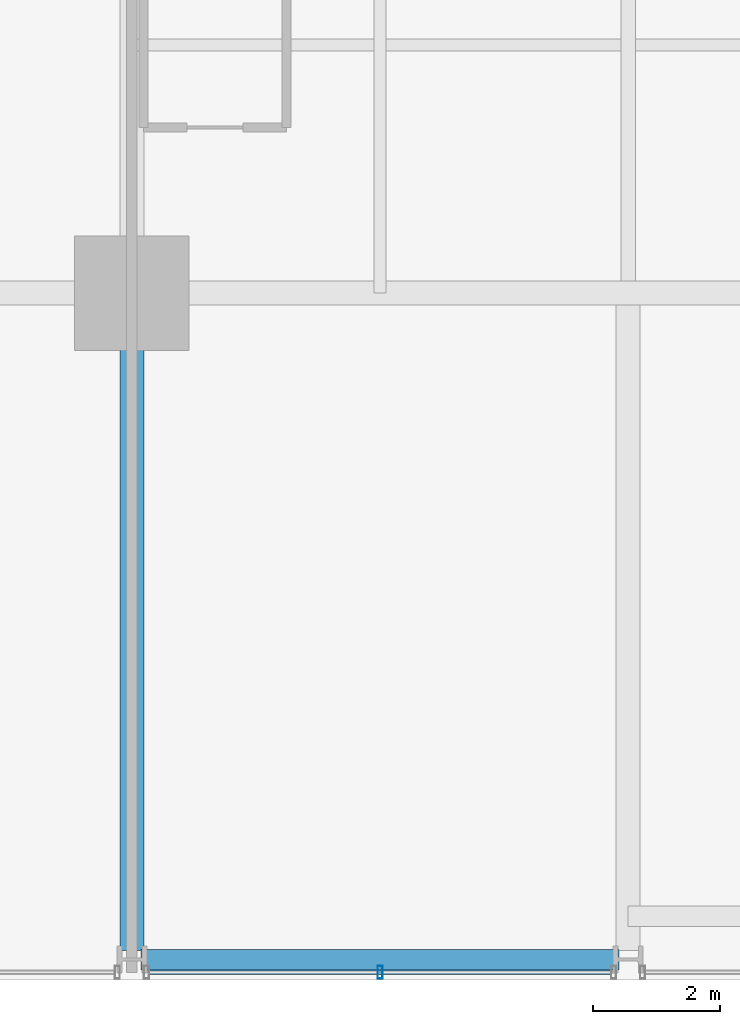
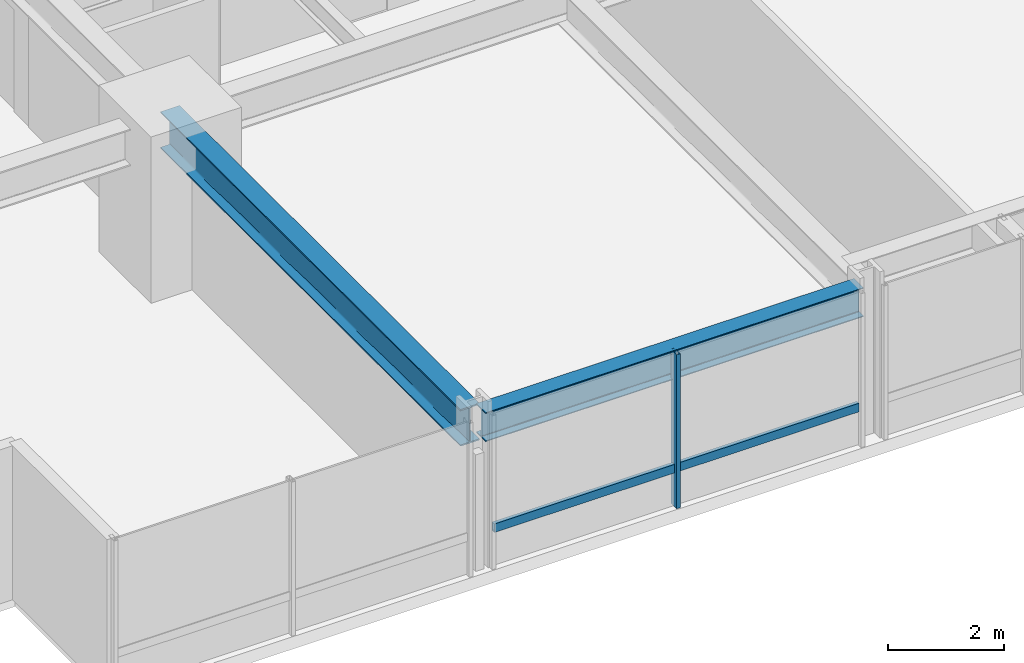
# One storey, part 3 of 38: 2 beams, 2 members, 1 element without a shape of its own.
"""IFC4 building model written with IfcOpenShell, lengths in metres."""

import ifcopenshell
import ifcopenshell.guid

model = None  # the IFC model being written
_history = None  # IfcOwnerHistory: only IFC2X3 demands one
_inside = {}  # id of a spatial element -> (the spatial element, [elements in it])
_under = {}  # id of a project, library or spatial element -> (it, [spatial elements below it])
_declared = {}  # id of a project -> (the project, [libraries it declares])
_typed = {}  # id of a type object -> (the type object, [elements of that type])
_made_of = {}  # id of a material, layer set ... -> (it, [elements and type objects made of it])


def new_model(schema):
    """Start an empty IFC model of exactly this schema.

    Asked for "IFC4X3", IfcOpenShell would pick the latest addendum, in which some entities
    have other attributes; the version numbers below select the first issue.
    IFC2X3 requires an IfcOwnerHistory on every rooted entity: one is made here for all.
    """
    global model, _history
    if schema == "IFC4X3":
        model = ifcopenshell.file(schema_version=(4, 3, 0, 0))
    else:
        model = ifcopenshell.file(schema=schema)
    _inside.clear()
    _under.clear()
    _declared.clear()
    _typed.clear()
    _made_of.clear()
    _history = None
    if model.schema == "IFC2X3":
        org = make("IfcOrganization", Name="unknown")
        user = make(
            "IfcPersonAndOrganization",
            ThePerson=make("IfcPerson", FamilyName="unknown"),
            TheOrganization=org,
        )
        app = make(
            "IfcApplication",
            ApplicationDeveloper=org,
            Version="unknown",
            ApplicationFullName="unknown",
            ApplicationIdentifier="unknown",
        )
        _history = make(
            "IfcOwnerHistory",
            OwningUser=user,
            OwningApplication=app,
            ChangeAction="ADDED",
            CreationDate=0,
        )
    return model


def make(cls, **values):
    """One entity of the class cls with the attributes given. An attribute that is None is left unset."""
    return model.create_entity(
        cls, **{name: value for name, value in values.items() if value is not None}
    )


def rooted(cls, **values):
    """An entity with a GlobalId (a new one), such as an element, a storey or a relation."""
    return make(cls, GlobalId=ifcopenshell.guid.new(), OwnerHistory=_history, **values)


def si_unit(unit_type, name, prefix=None):
    """IfcSIUnit, for example si_unit("LENGTHUNIT", "METRE", prefix="MILLI")."""
    return make("IfcSIUnit", UnitType=unit_type, Prefix=prefix, Name=name)


def assignment(units):
    """IfcUnitAssignment: the units of a project."""
    return None if units is None else make("IfcUnitAssignment", Units=units)


def point(xyz):
    """IfcCartesianPoint."""
    return None if xyz is None else make("IfcCartesianPoint", Coordinates=xyz)


def direction(xyz):
    """IfcDirection."""
    return None if xyz is None else make("IfcDirection", DirectionRatios=xyz)


def frame(location, z_axis=None, x_axis=None):
    """IfcAxis2Placement3D, a coordinate frame: its origin and axes. An axis left out is left unset."""
    return make(
        "IfcAxis2Placement3D",
        Location=point(location),
        Axis=direction(z_axis),
        RefDirection=direction(x_axis),
    )


def frame_2d(location, x_axis=None):
    """IfcAxis2Placement2D, a coordinate frame in the plane: its origin and x axis."""
    return make(
        "IfcAxis2Placement2D", Location=point(location), RefDirection=direction(x_axis)
    )


def origin():
    """The frame at (0, 0, 0) with its axes left unset."""
    return frame((0.0, 0.0, 0.0))


def origin_2d():
    """The frame at (0, 0) in the plane with its x axis left unset."""
    return frame_2d((0.0, 0.0))


def place(relative_to, where):
    """IfcLocalPlacement: puts the frame where relative to a parent placement (None: the world)."""
    return make(
        "IfcLocalPlacement", PlacementRelTo=relative_to, RelativePlacement=where
    )


def context(
    kind, dimensions, precision=None, world=None, true_north=None, identifier=None
):
    """IfcGeometricRepresentationContext, for example the 3D "Model" context."""
    return make(
        "IfcGeometricRepresentationContext",
        ContextIdentifier=identifier,
        ContextType=kind,
        CoordinateSpaceDimension=dimensions,
        Precision=precision,
        WorldCoordinateSystem=world,
        TrueNorth=true_north,
    )


def subcontext(parent, identifier, kind, view, scale=None):
    """IfcGeometricRepresentationSubContext, for example "Body" below "Model"."""
    return make(
        "IfcGeometricRepresentationSubContext",
        ContextIdentifier=identifier,
        ContextType=kind,
        ParentContext=parent,
        TargetScale=scale,
        TargetView=view,
    )


def project(units=None, contexts=None):
    """IfcProject with its units and contexts."""
    return rooted(
        "IfcProject",
        Name="project",
        RepresentationContexts=contexts,
        UnitsInContext=assignment(units),
    )


def spatial(cls, under=None, at=None, **own):
    """A site, building, storey or space (cls), placed at a placement, below another one or the project."""
    s = rooted(cls, ObjectPlacement=at, **own)
    if under is not None:
        _under.setdefault(under.id(), (under, []))[1].append(s)
    return s


def profile(cls, at=None, kind="AREA", **sizes):
    """A parametric profile (cls). Its sizes go by their IFC names, for example OverallWidth=200.0."""
    return make(cls, ProfileType=kind, Position=at, **sizes)


def hollow_rectangle(**sizes):
    """IfcRectangleHollowProfileDef."""
    return profile("IfcRectangleHollowProfileDef", **sizes)


def i_section(**sizes):
    """IfcIShapeProfileDef."""
    return profile("IfcIShapeProfileDef", **sizes)


def extrude(swept, where, along, depth):
    """IfcExtrudedAreaSolid: the profile swept, set in the frame where, extruded along a direction by depth."""
    return make(
        "IfcExtrudedAreaSolid",
        SweptArea=swept,
        Position=where,
        ExtrudedDirection=direction(along),
        Depth=depth,
    )


def shape(context_of_items, identifier, shape_type, items):
    """IfcShapeRepresentation: the items that make up one representation, for example the "Body"."""
    return make(
        "IfcShapeRepresentation",
        ContextOfItems=context_of_items,
        RepresentationIdentifier=identifier,
        RepresentationType=shape_type,
        Items=items,
    )


def material(Name=None, Category=None):
    """IfcMaterial."""
    return make("IfcMaterial", Name=Name, Category=Category)


def layer(
    of_material, thickness, ventilated=None, Name=None, Category=None, Priority=None
):
    """IfcMaterialLayer: one layer of a wall or slab, of a material (None: an air gap)."""
    return make(
        "IfcMaterialLayer",
        Material=of_material,
        LayerThickness=thickness,
        IsVentilated=ventilated,
        Name=Name,
        Category=Category,
        Priority=Priority,
    )


def layer_set(layers, Name=None):
    """IfcMaterialLayerSet."""
    return make("IfcMaterialLayerSet", MaterialLayers=layers, LayerSetName=Name)


def material_profile(
    of_material, cross_section, Name=None, Category=None, Priority=None
):
    """IfcMaterialProfile: a cross section and its material."""
    return make(
        "IfcMaterialProfile",
        Name=Name,
        Material=of_material,
        Profile=cross_section,
        Priority=Priority,
        Category=Category,
    )


def profile_set(profiles, Name=None, composite=None):
    """IfcMaterialProfileSet."""
    return make(
        "IfcMaterialProfileSet",
        Name=Name,
        MaterialProfiles=profiles,
        CompositeProfile=composite,
    )


def made_of(thing, what):
    """Note that an element or type object is made of a material, layer set ...; save() writes the relation."""
    if what is not None:
        _made_of.setdefault(what.id(), (what, []))[1].append(thing)
    return thing


def type_object(cls, material=None, **own):
    """A type object (cls), such as IfcWallType, which elements share."""
    return made_of(rooted(cls, **own), material)


def element(
    cls,
    number,
    at=None,
    inside=None,
    cuts=None,
    type_object=None,
    material=None,
    context=None,
    identifier="Body",
    shape_type=None,
    held_by="IfcProductDefinitionShape",
    body=None,
    shapes=None,
    **own,
):
    """One element of the class cls, such as IfcWall. Its Tag is "e" and its number.

    at: its placement. inside: the storey or other place that contains it. cuts: it is an
    opening in that element (IfcRelVoidsElement). A single representation is given by context,
    identifier, shape_type and body (its items); several are given by shapes. held_by: the class
    of the entity that holds the representations. save() writes the other relations.
    """
    e = rooted(cls, Tag="e%d" % number, ObjectPlacement=at, **own)
    if body is not None:
        shapes = [shape(context, identifier, shape_type, body)]
    if shapes is not None:
        e.Representation = make(held_by, Representations=shapes)
    if inside is not None:
        _inside.setdefault(inside.id(), (inside, []))[1].append(e)
    if cuts is not None:
        rooted(
            "IfcRelVoidsElement", RelatingBuildingElement=cuts, RelatedOpeningElement=e
        )
    if type_object is not None:
        _typed.setdefault(type_object.id(), (type_object, []))[1].append(e)
    return made_of(e, material)


def aggregate(whole, parts):
    """IfcRelAggregates: a whole, such as a stair, and the parts it consists of."""
    return rooted("IfcRelAggregates", RelatingObject=whole, RelatedObjects=parts)


def save(model, path):
    """Write the relations noted so far, then the file.

    IfcRelAggregates (storeys below a building ...), IfcRelContainedInSpatialStructure (elements
    in a storey), IfcRelDefinesByType, IfcRelAssociatesMaterial and IfcRelDeclares: one each for
    every whole, place, type object, material and project.
    """
    for whole, parts in _under.values():
        aggregate(whole, parts)
    for where, things in _inside.values():
        rooted(
            "IfcRelContainedInSpatialStructure",
            RelatedElements=things,
            RelatingStructure=where,
        )
    for kind, things in _typed.values():
        rooted("IfcRelDefinesByType", RelatedObjects=things, RelatingType=kind)
    for what, things in _made_of.values():
        rooted("IfcRelAssociatesMaterial", RelatedObjects=things, RelatingMaterial=what)
    for by, libraries in _declared.values():
        rooted("IfcRelDeclares", RelatingContext=by, RelatedDefinitions=libraries)
    model.write(path)


model = new_model("IFC4")

# Units and contexts
model_context = context("Model", 3, precision=1e-05, world=origin(), true_north=direction((0.0, 1.0)))
body_context = subcontext(model_context, "Body", "Model", "MODEL_VIEW")
ifc_project = project(units=[si_unit("LENGTHUNIT", "METRE"), si_unit("AREAUNIT", "SQUARE_METRE"), si_unit("VOLUMEUNIT", "CUBIC_METRE"), si_unit("PLANEANGLEUNIT", "RADIAN"), si_unit("MASSUNIT", "GRAM", prefix="KILO")], contexts=[model_context])

# Site, building, storey
site_placement = place(None, origin())
site = spatial("IfcSite", under=ifc_project, at=site_placement, CompositionType="ELEMENT")
building_placement = place(site_placement, origin())
building = spatial("IfcBuilding", under=site, at=building_placement, Name="Drelvath Grand Hotel", CompositionType="ELEMENT")
storey_placement = place(building_placement, frame((0.0, 0.0, 71.699951171875)))
storey = spatial("IfcBuildingStorey", under=building, at=storey_placement, Name="L17", CompositionType="ELEMENT", Elevation=71.699951171875)

# Curtain wall, members
ifc_material_1 = material(Name="Warm Bronze Anodised Aluminium Frame", Category="aluminium")
ifc_layer = layer(ifc_material_1, 0.199951171875)
ifc_layer_set = layer_set([ifc_layer], Name="Warm Bronze Anodised Aluminium Frame")
curtain_wall_type = type_object("IfcCurtainWallType", Name="Stick Curtain Wall CW-02 Warm Bronze Low-Rise", PredefinedType="NOTDEFINED", material=ifc_layer_set)
curtain_wall_placement = place(storey_placement, origin())
curtain_wall = element("IfcCurtainWall", 1, at=curtain_wall_placement, inside=storey, type_object=curtain_wall_type, Name="L17 CW-02 Curtain Wall CW02-L17-SW2", PredefinedType="NOTDEFINED")
ifc_material_profile_1 = material_profile(ifc_material_1, hollow_rectangle(XDim=0.074951171875, YDim=0.179931640625, WallThickness=0.0048828125, at=origin_2d()), Name="HSS180X75X5")
ifc_profile_set_1 = profile_set([ifc_material_profile_1], Name="Warm Bronze Anodised Aluminium Frame")
member_type_1 = type_object("IfcMemberType", Name="Curtain Wall Horizontal Transom CW-02 HSS180X75X5", PredefinedType="USERDEFINED", material=ifc_profile_set_1)
member_1_placement = place(storey_placement, frame((-8.669189453125, 0.1201171875, 0.81005859375), z_axis=(-1.0, 0.0, 0.0), x_axis=(0.0, -1.0, 0.0)))
member_1 = element("IfcMember", 2, at=member_1_placement, type_object=member_type_1, Name="CW02-L17-SW2 Sill Transom", ObjectType="TRANSOM", PredefinedType="USERDEFINED", context=body_context, shape_type="SweptSolid", body=[
    extrude(hollow_rectangle(XDim=0.074951171875, YDim=0.179931640625, WallThickness=0.0048828125, at=origin_2d()), origin(), (0.0, 0.0, 1.0), 7.26171875),
])
ifc_material_profile_2 = material_profile(ifc_material_1, hollow_rectangle(XDim=0.080078125, YDim=0.199951171875, WallThickness=0.0048828125, at=origin_2d()), Name="HSS200X80X5")
ifc_profile_set_2 = profile_set([ifc_material_profile_2], Name="Warm Bronze Anodised Aluminium Frame")
member_type_2 = type_object("IfcMemberType", Name="Curtain Wall Vertical Mullion CW-02 HSS200X80X5", PredefinedType="MULLION", material=ifc_profile_set_2)
member_2_placement = place(storey_placement, frame((-12.300048828125, 0.1201171875, 0.0), z_axis=(0.0, 0.0, 1.0), x_axis=(1.0, 0.0, 0.0)))
member_2 = element("IfcMember", 3, at=member_2_placement, type_object=member_type_2, Name="CW02-L17-SW2 Mullion 2", PredefinedType="MULLION", context=body_context, shape_type="SweptSolid", body=[
    extrude(hollow_rectangle(XDim=0.080078125, YDim=0.199951171875, WallThickness=0.0048828125, at=origin_2d()), origin(), (0.0, 0.0, 1.0), 3.239990234375),
])
aggregate(curtain_wall, [member_2, member_1])

# Beams
ifc_material_2 = material(Name="Steel ASTM A992 Gr 50", Category="steel")
ifc_material_profile_3 = material_profile(ifc_material_2, i_section(OverallWidth=0.323974609375, OverallDepth=0.611083984375, WebThickness=0.0126953125, FlangeThickness=0.01904296875, FilletRadius=0.02197265625, at=origin_2d()), Name="W24X104")
ifc_profile_set_3 = profile_set([ifc_material_profile_3], Name="Steel ASTM A992 Gr 50")
beam_type_1 = type_object("IfcBeamType", Name="Perimeter Spandrel Beam W24X104", PredefinedType="SPANDREL", material=ifc_profile_set_3)
beam_1_placement = place(storey_placement, frame((-16.06005859375, 0.320068359375, 2.9345703125), z_axis=(1.0, 0.0, 0.0), x_axis=(0.0, 1.0, 0.0)))
element("IfcBeam", 4, at=beam_1_placement, inside=storey, type_object=beam_type_1, Name="L17 Spandrel South W", PredefinedType="SPANDREL", context=body_context, shape_type="SweptSolid", body=[
    extrude(i_section(OverallWidth=0.323974609375, OverallDepth=0.611083984375, WebThickness=0.0126953125, FlangeThickness=0.01904296875, FilletRadius=0.02197265625, at=origin_2d()), origin(), (0.0, 0.0, 1.0), 7.52001953125),
])
ifc_material_profile_4 = material_profile(ifc_material_2, i_section(OverallWidth=0.380615234375, OverallDepth=0.773193359375, WebThickness=0.0166015625, FlangeThickness=0.027099609375, FilletRadius=0.02490234375, at=origin_2d()), Name="W30X173")
ifc_profile_set_4 = profile_set([ifc_material_profile_4], Name="Steel ASTM A992 Gr 50")
beam_type_2 = type_object("IfcBeamType", Name="Primary Floor Girder W30X173", PredefinedType="BEAM", material=ifc_profile_set_4)
beam_2_placement = place(storey_placement, frame((-16.199951171875, 0.4599609375, 2.853515625), z_axis=(0.0, 1.0, 0.0), x_axis=(-1.0, 0.0, 0.0)))
element("IfcBeam", 5, at=beam_2_placement, inside=storey, type_object=beam_type_2, Name="L17 South Grid Girder 3", PredefinedType="BEAM", context=body_context, shape_type="SweptSolid", body=[
    extrude(i_section(OverallWidth=0.380615234375, OverallDepth=0.773193359375, WebThickness=0.0166015625, FlangeThickness=0.027099609375, FilletRadius=0.02490234375, at=origin_2d()), origin(), (0.0, 0.0, 1.0), 10.340087890625),
])

save(model, "model.ifc")
